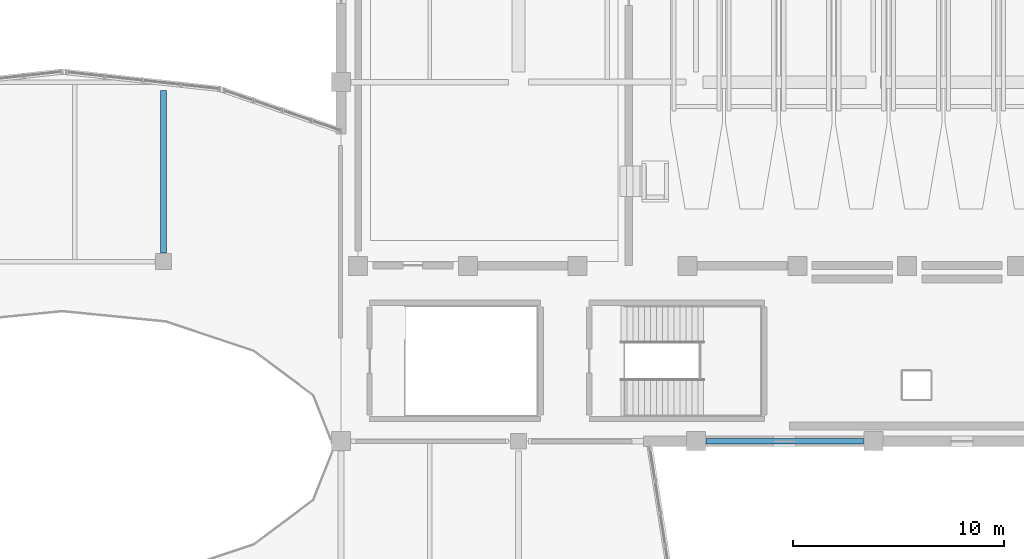
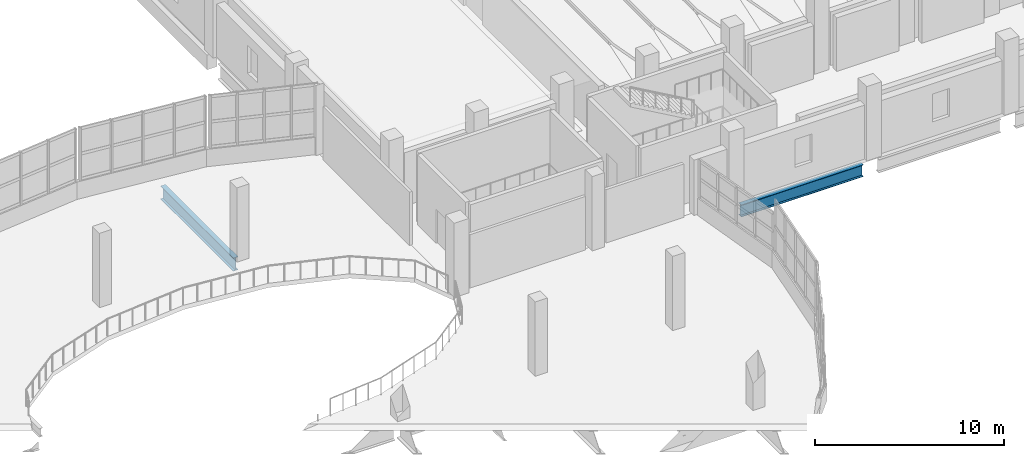
# One storey, part 27 of 117: 2 beams.
"""IFC4 building model written with IfcOpenShell, lengths in metres."""

from ifc_helpers import new_model, si_unit, direction, frame, origin, origin_2d, place, context, subcontext, project, spatial, i_section, extrude, material, material_profile, profile_set, type_object, element, save


model = new_model("IFC4")

# Units and contexts
model_context = context("Model", 3, precision=1e-05, world=origin(), true_north=direction((0.0, 1.0)))
body_context = subcontext(model_context, "Body", "Model", "MODEL_VIEW")
ifc_project = project(units=[si_unit("LENGTHUNIT", "METRE"), si_unit("AREAUNIT", "SQUARE_METRE"), si_unit("VOLUMEUNIT", "CUBIC_METRE"), si_unit("PLANEANGLEUNIT", "RADIAN"), si_unit("MASSUNIT", "GRAM", prefix="KILO")], contexts=[model_context])

# Site, building, storey
site_placement = place(None, origin())
site = spatial("IfcSite", under=ifc_project, at=site_placement, CompositionType="ELEMENT")
building_placement = place(site_placement, origin())
building = spatial("IfcBuilding", under=site, at=building_placement, Name="Solvento Point Concert Hall", CompositionType="ELEMENT")
storey_placement = place(building_placement, frame((0.0, 0.0, 5.39990234375)))
storey = spatial("IfcBuildingStorey", under=building, at=storey_placement, Name="L01", CompositionType="ELEMENT", Elevation=5.39990234375)

# Beams
ifc_material_1 = material(Name="Structural Steel ASTM A992 Grade 50", Category="steel")
ifc_material_profile_1 = material_profile(ifc_material_1, i_section(OverallWidth=0.26806640625, OverallDepth=0.77001953125, WebThickness=0.015625, FlangeThickness=0.025390625, at=origin_2d()), Name="W30X132")
ifc_profile_set_1 = profile_set([ifc_material_profile_1], Name="Structural Steel ASTM A992 Grade 50")
beam_type_1 = type_object("IfcBeamType", Name="Girder_W30X132", PredefinedType="USERDEFINED", material=ifc_profile_set_1)
beam_1_placement = place(storey_placement, frame((91.6689453125, 42.5, -0.808837890625), z_axis=(1.0, 0.0, 0.0), x_axis=(0.0, 1.0, 0.0)))
element("IfcBeam", 1, at=beam_1_placement, inside=storey, type_object=beam_type_1, Name="Primary girder B-68 L01", ObjectType="GIRDER", PredefinedType="USERDEFINED", context=body_context, shape_type="SweptSolid", body=[
    extrude(i_section(OverallWidth=0.26806640625, OverallDepth=0.77001953125, WebThickness=0.015625, FlangeThickness=0.025390625, at=origin_2d()), origin(), (0.0, 0.0, 1.0), 7.462158203125),
])
ifc_material_2 = material(Name="Structural Steel ASTM A992 Grade 50", Category="steel")
ifc_material_profile_2 = material_profile(ifc_material_2, i_section(OverallWidth=0.2919921875, OverallDepth=0.85888671875, WebThickness=0.01708984375, FlangeThickness=0.031005859375, at=origin_2d()), Name="W33X169")
ifc_profile_set_2 = profile_set([ifc_material_profile_2], Name="Structural Steel ASTM A992 Grade 50")
beam_type_2 = type_object("IfcBeamType", Name="Girder_W33X169", PredefinedType="USERDEFINED", material=ifc_profile_set_2)
beam_2_placement = place(storey_placement, frame((66.0, 51.404052734375, -0.71337890625), z_axis=(0.0, 1.0, 0.0), x_axis=(-1.0, 0.0, 0.0)))
element("IfcBeam", 2, at=beam_2_placement, inside=storey, type_object=beam_type_2, Name="Primary girder B-33 L01", ObjectType="GIRDER", PredefinedType="USERDEFINED", context=body_context, shape_type="SweptSolid", body=[
    extrude(i_section(OverallWidth=0.2919921875, OverallDepth=0.85888671875, WebThickness=0.01708984375, FlangeThickness=0.031005859375, at=origin_2d()), origin(), (0.0, 0.0, 1.0), 7.69189453125),
])

save(model, "model.ifc")
